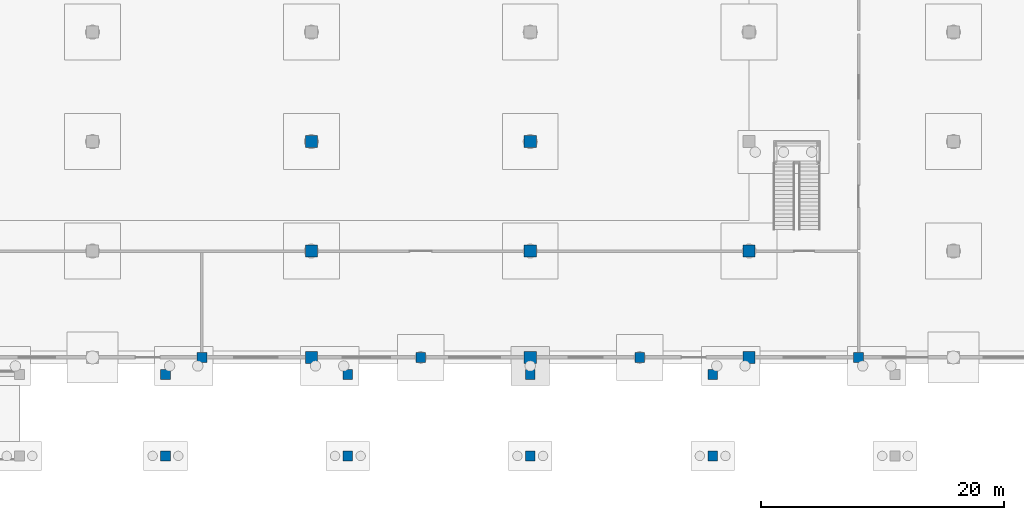
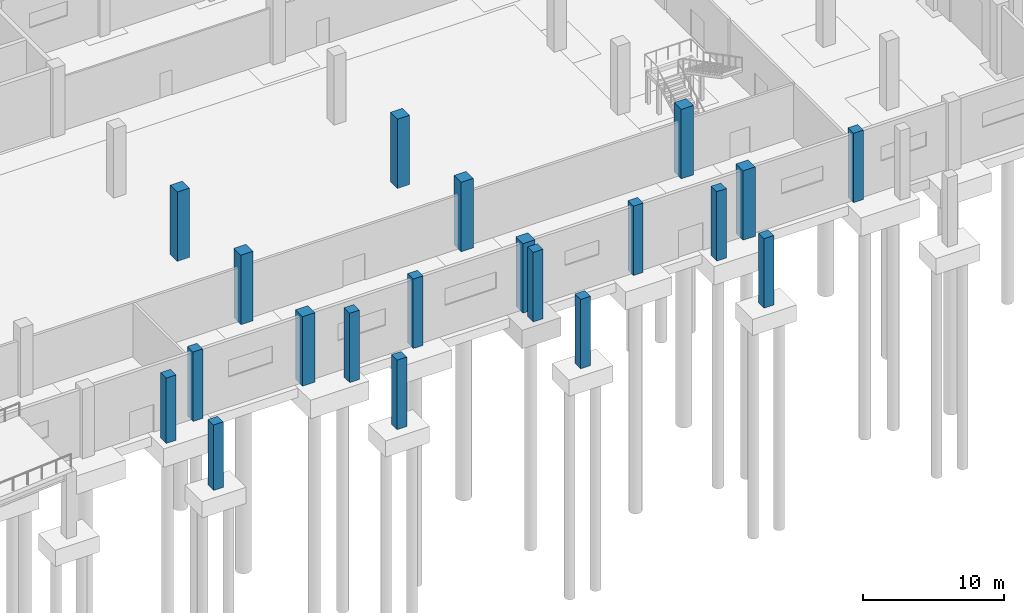
# One storey, part 25 of 131: 20 columns.
"""IFC4 building model written with IfcOpenShell, lengths in metres."""

from ifc_helpers import new_model, si_unit, direction, frame, origin, origin_2d, place, context, subcontext, project, spatial, rectangle, extrude, material, material_profile, profile_set, type_object, element, save


model = new_model("IFC4")

# Units and contexts
model_context = context("Model", 3, precision=1e-05, world=origin(), true_north=direction((0.0, 1.0)))
body_context = subcontext(model_context, "Body", "Model", "MODEL_VIEW")
ifc_project = project(units=[si_unit("LENGTHUNIT", "METRE"), si_unit("AREAUNIT", "SQUARE_METRE"), si_unit("VOLUMEUNIT", "CUBIC_METRE"), si_unit("PLANEANGLEUNIT", "RADIAN"), si_unit("MASSUNIT", "GRAM", prefix="KILO")], contexts=[model_context])

# Site, building, storey
site_placement = place(None, origin())
site = spatial("IfcSite", under=ifc_project, at=site_placement, CompositionType="ELEMENT")
building_placement = place(site_placement, origin())
building = spatial("IfcBuilding", under=site, at=building_placement, Name="Cazmaro Siding Exhibition Halls", CompositionType="ELEMENT")
storey_placement = place(building_placement, origin())
storey = spatial("IfcBuildingStorey", under=building, at=storey_placement, Name="L00", CompositionType="ELEMENT", Elevation=0.0)

# Columns
ifc_material_1 = material(Name="Concrete f'c 45 MPa", Category="concrete")
ifc_material_profile_1 = material_profile(ifc_material_1, rectangle(XDim=1.0, YDim=1.0, at=origin_2d()), Name="RC1000X1000")
ifc_profile_set_1 = profile_set([ifc_material_profile_1], Name="Concrete f'c 45 MPa")
column_type_1 = type_object("IfcColumnType", Name="C-07", PredefinedType="COLUMN", material=ifc_profile_set_1)
for number, where, z_axis, x_axis, name in (
    (1, (144.0, 9.25, 0.0), (0.0, 0.0, 1.0), (1.0, 0.0, 0.0), "Column C-07 COL-0505"),
    (2, (144.0, 18.0, 0.0), (0.0, 0.0, 1.0), (1.0, 0.0, 0.0), "Column C-07 COL-0507"),
    (3, (144.0, 27.0, 0.0), (0.0, 0.0, 1.0), (1.0, 0.0, 0.0), "Column C-07 COL-0509"),
    (4, (162.0, 9.25, 0.0), (0.0, 0.0, 1.0), (1.0, 0.0, 0.0), "Column C-07 COL-0517"),
    (5, (162.0, 18.0, 0.0), (0.0, 0.0, 1.0), (1.0, 0.0, 0.0), "Column C-07 COL-0519"),
    (6, (162.0, 27.0, 0.0), (0.0, 0.0, 1.0), (1.0, 0.0, 0.0), "Column C-07 COL-0521"),
    (7, (180.0, 9.25, 0.0), (0.0, 0.0, 1.0), (1.0, 0.0, 0.0), "Column C-07 COL-0529"),
    (8, (180.0, 18.0, 0.0), (0.0, 0.0, 1.0), (1.0, 0.0, 0.0), "Column C-07 COL-0531"),
):
    element("IfcColumn", number, at=place(storey_placement, frame(where, z_axis=z_axis, x_axis=x_axis)), inside=storey, type_object=column_type_1, Name=name, PredefinedType="COLUMN", context=body_context, shape_type="SweptSolid", body=[
        extrude(rectangle(XDim=1.0, YDim=1.0, at=origin_2d()), origin(), (0.0, 0.0, 1.0), 6.0),
    ])
ifc_material_2 = material(Name="Concrete f'c 45 MPa", Category="concrete")
ifc_material_profile_2 = material_profile(ifc_material_2, rectangle(XDim=0.800048828125, YDim=0.800048828125, at=origin_2d()), Name="RC800X800")
ifc_profile_set_2 = profile_set([ifc_material_profile_2], Name="Concrete f'c 45 MPa")
column_type_2 = type_object("IfcColumnType", Name="C-08", PredefinedType="COLUMN", material=ifc_profile_set_2)
for number, where, z_axis, x_axis, name in (
    (9, (135.0, 9.25, 0.0), (0.0, 0.0, 1.0), (1.0, 0.0, 0.0), "Column C-08 COL-0605"),
    (10, (153.0, 9.25, 0.0), (0.0, 0.0, 1.0), (1.0, 0.0, 0.0), "Column C-08 COL-0617"),
    (11, (171.0, 9.25, 0.0), (0.0, 0.0, 1.0), (1.0, 0.0, 0.0), "Column C-08 COL-0629"),
    (12, (189.0, 9.25, 0.0), (0.0, 0.0, 1.0), (1.0, 0.0, 0.0), "Column C-08 COL-0641"),
):
    element("IfcColumn", number, at=place(storey_placement, frame(where, z_axis=z_axis, x_axis=x_axis)), inside=storey, type_object=column_type_2, Name=name, PredefinedType="COLUMN", context=body_context, shape_type="SweptSolid", body=[
        extrude(rectangle(XDim=0.800048828125, YDim=0.800048828125, at=origin_2d()), origin(), (0.0, 0.0, 1.0), 6.0),
    ])
for number, where, z_axis, x_axis, name in (
    (13, (132.0, 1.14990234375, 0.0), (0.0, 0.0, 1.0), (1.0, 0.0, 0.0), "Column C-08 COL-1131"),
    (14, (132.0, 7.85009765625, 0.0), (0.0, 0.0, 1.0), (1.0, 0.0, 0.0), "Column C-08 COL-1132"),
):
    element("IfcColumn", number, at=place(storey_placement, frame(where, z_axis=z_axis, x_axis=x_axis)), inside=storey, type_object=column_type_2, Name=name, PredefinedType="COLUMN", context=body_context, shape_type="SweptSolid", body=[
        extrude(rectangle(XDim=0.800048828125, YDim=0.800048828125, at=origin_2d()), origin(), (0.0, 0.0, 1.0), 5.64990234375),
    ])
for number, where, z_axis, x_axis, name in (
    (15, (147.0, 1.14990234375, 0.0), (0.0, 0.0, 1.0), (1.0, 0.0, 0.0), "Column C-08 COL-1133"),
    (16, (147.0, 7.85009765625, 0.0), (0.0, 0.0, 1.0), (1.0, 0.0, 0.0), "Column C-08 COL-1135"),
    (17, (162.0, 1.14990234375, 0.0), (0.0, 0.0, 1.0), (1.0, 0.0, 0.0), "Column C-08 COL-1137"),
    (18, (162.0, 7.85009765625, 0.0), (0.0, 0.0, 1.0), (1.0, 0.0, 0.0), "Column C-08 COL-1139"),
    (19, (177.0, 1.14990234375, 0.0), (0.0, 0.0, 1.0), (1.0, 0.0, 0.0), "Column C-08 COL-1141"),
    (20, (177.0, 7.85009765625, 0.0), (0.0, 0.0, 1.0), (1.0, 0.0, 0.0), "Column C-08 COL-1143"),
):
    element("IfcColumn", number, at=place(storey_placement, frame(where, z_axis=z_axis, x_axis=x_axis)), inside=storey, type_object=column_type_2, Name=name, PredefinedType="COLUMN", context=body_context, shape_type="SweptSolid", body=[
        extrude(rectangle(XDim=0.800048828125, YDim=0.800048828125, at=origin_2d()), origin(), (0.0, 0.0, 1.0), 6.0),
    ])

save(model, "model.ifc")
